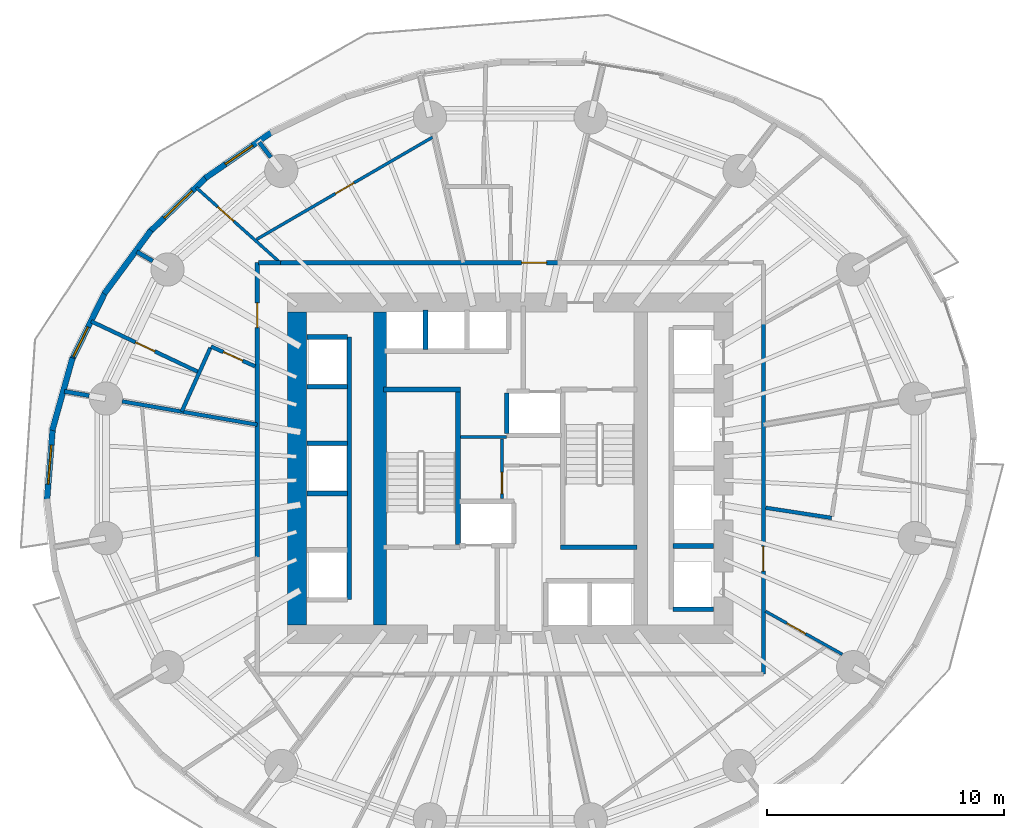
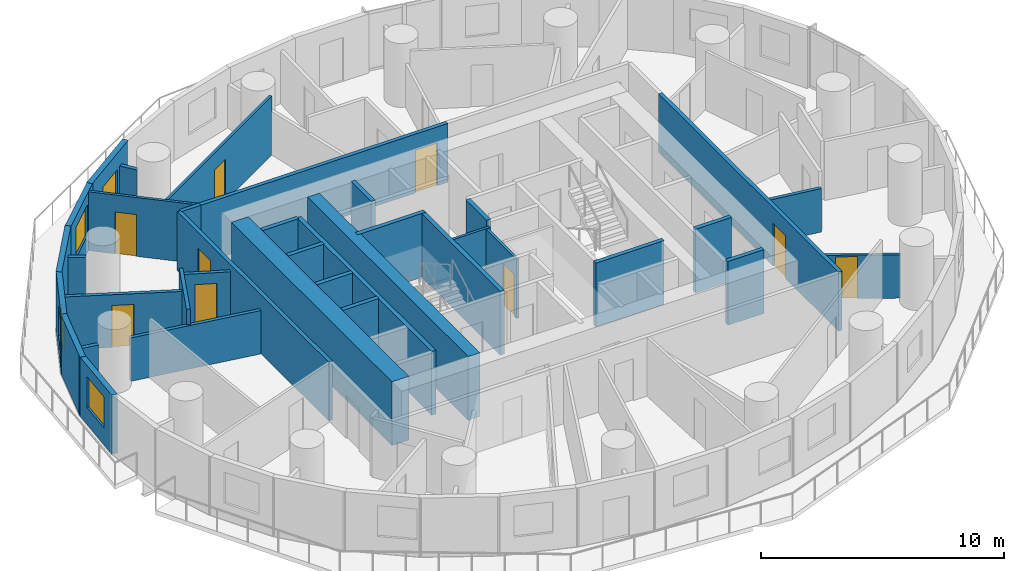
# One storey, part 6 of 13: 37 walls, 9 doors, 4 windows, 13 openings.
"""IFC4 building model written with IfcOpenShell, lengths in metres."""

from ifc_helpers import new_model, si_unit, direction, frame, frame_2d, origin, place, context, subcontext, project, spatial, rectangle, extrude, material, layer, layer_set, type_object, element, fill, save


model = new_model("IFC4")

# Units and contexts
model_context = context("Model", 3, precision=1e-05, world=origin(), true_north=direction((0.0, 1.0)))
body_context = subcontext(model_context, "Body", "Model", "MODEL_VIEW")
ifc_project = project(units=[si_unit("LENGTHUNIT", "METRE"), si_unit("AREAUNIT", "SQUARE_METRE"), si_unit("VOLUMEUNIT", "CUBIC_METRE"), si_unit("PLANEANGLEUNIT", "RADIAN"), si_unit("MASSUNIT", "GRAM", prefix="KILO")], contexts=[model_context])

# Site, building, storey
site_placement = place(None, origin())
site = spatial("IfcSite", under=ifc_project, at=site_placement, CompositionType="ELEMENT")
building_placement = place(site_placement, origin())
building = spatial("IfcBuilding", under=site, at=building_placement, Name="Veldorim Arch Residences", CompositionType="ELEMENT")
storey_placement = place(building_placement, frame((0.0, 0.0, 53.60009765625)))
storey = spatial("IfcBuildingStorey", under=building, at=storey_placement, Name="L15", CompositionType="ELEMENT", Elevation=53.60009765625)

# Wall, opening, door
ifc_material_1 = material(Name="Acoustic Gypsum Board", Category="gypsum")
ifc_layer_1 = layer(ifc_material_1, 0.125, Name="Acoustic Stud Room Partition Wall 125")
ifc_layer_set_1 = layer_set([ifc_layer_1], Name="Acoustic Gypsum Board")
wall_type_1 = type_object("IfcWallType", Name="Acoustic Stud Room Partition Wall 125", PredefinedType="PARTITIONING", material=ifc_layer_set_1)
wall_1_placement = place(storey_placement, frame((31.64990234375, 22.719970703125, 0.0), z_axis=(0.0, 0.0, 1.0), x_axis=(0.0, 1.0, 0.0)))
wall_1 = element("IfcWall", 1, at=wall_1_placement, inside=storey, type_object=wall_type_1, Name="L15 interior wall WL-CA-L15-1", PredefinedType="PARTITIONING", context=body_context, shape_type="SweptSolid", body=[
    extrude(rectangle(XDim=2.52001953125, YDim=0.125, at=frame_2d((1.260009765625, 0.0))), origin(), (0.0, 0.0, 1.0), 2.954833984375),
])
opening_1_placement = place(wall_1_placement, frame((0.2099609375, 0.0, 0.0)))
opening_1 = element("IfcOpeningElement", 2, at=opening_1_placement, cuts=wall_1, Name="Opening DR-SVC", PredefinedType="OPENING", context=body_context, shape_type="SweptSolid", body=[
    extrude(rectangle(XDim=0.89990234375, YDim=2.10009765625, at=frame_2d((0.449951171875, 1.050048828125))), frame((0.0, 0.072509765625, 0.0), z_axis=(0.0, -1.0, 0.0), x_axis=(1.0, 0.0, 0.0)), (0.0, 0.0, 1.0), 0.14501953125),
])
ifc_material_2 = material(Name="Fire-Rated Steel", Category="steel")
door_type_1 = type_object("IfcDoorType", Name="Riser, Shelter & Plant Room Rated Steel Door 900x2100", OperationType="SINGLE_SWING_LEFT", PredefinedType="DOOR", material=ifc_material_2)
door_1_placement = place(opening_1_placement, origin())
door_1 = element("IfcDoor", 3, at=door_1_placement, inside=storey, type_object=door_type_1, Name="L15 interior door DR-L15-CA1", OperationType="SINGLE_SWING_LEFT", OverallHeight=2.10009765625, OverallWidth=0.89990234375, PredefinedType="DOOR", context=body_context, shape_type="SweptSolid", body=[
    extrude(rectangle(XDim=0.89990234375, YDim=2.10009765625, at=frame_2d((0.449951171875, 1.050048828125))), frame((0.0, 0.02490234375, 0.0), z_axis=(0.0, -1.0, 0.0), x_axis=(1.0, 0.0, 0.0)), (0.0, 0.0, 1.0), 0.050048828125),
])
fill(opening_1, door_1)

# Wall
wall_2_placement = place(storey_placement, frame((29.889892578125, 25.330078125, 0.0), z_axis=(0.0, 0.0, 1.0), x_axis=(1.0, 0.0, 0.0)))
element("IfcWall", 4, at=wall_2_placement, inside=storey, type_object=wall_type_1, Name="L15 interior wall WL-CA-L15-N", PredefinedType="PARTITIONING", context=body_context, shape_type="SweptSolid", body=[
    extrude(rectangle(XDim=1.940185546875, YDim=0.125, at=frame_2d((0.97021484375, 0.0))), origin(), (0.0, 0.0, 1.0), 2.954833984375),
])

# Wall, opening, door
wall_3_placement = place(storey_placement, frame((46.011474609375, 16.152099609375, 0.0), z_axis=(0.0, 0.0, 1.0), x_axis=(-0.872501537555, 0.488611365978, 0.0)))
wall_3 = element("IfcWall", 5, at=wall_3_placement, inside=storey, type_object=wall_type_1, Name="L15 interior wall WL-RES-L15-018", PredefinedType="PARTITIONING", context=body_context, shape_type="SweptSolid", body=[
    extrude(rectangle(XDim=3.718505859375, YDim=0.125, at=frame_2d((1.859375, 0.0))), origin(), (0.0, 0.0, 1.0), 2.17822265625),
])
opening_2_placement = place(wall_3_placement, frame((1.773193359375, 0.0, 0.0)))
opening_2 = element("IfcOpeningElement", 6, at=opening_2_placement, cuts=wall_3, Name="Opening DR-INT", PredefinedType="OPENING", context=body_context, shape_type="SweptSolid", body=[
    extrude(rectangle(XDim=0.89990234375, YDim=2.10009765625, at=frame_2d((0.449951171875, 1.050048828125))), frame((0.0, 0.072509765625, 0.0), z_axis=(0.0, -1.0, 0.0), x_axis=(1.0, 0.0, 0.0)), (0.0, 0.0, 1.0), 0.14501953125),
])
ifc_material_3 = material(Name="Engineered Timber", Category="wood")
door_type_2 = type_object("IfcDoorType", Name="Apartment Internal Room Timber Door 900x2100", OperationType="SINGLE_SWING_LEFT", PredefinedType="DOOR", material=ifc_material_3)
door_2_placement = place(opening_2_placement, origin())
door_2 = element("IfcDoor", 7, at=door_2_placement, inside=storey, type_object=door_type_2, Name="L15 interior door DR-RES-L15-008", OperationType="SINGLE_SWING_RIGHT", OverallHeight=2.10009765625, OverallWidth=0.89990234375, PredefinedType="DOOR", context=body_context, shape_type="SweptSolid", body=[
    extrude(rectangle(XDim=0.89990234375, YDim=2.10009765625, at=frame_2d((0.449951171875, 1.050048828125))), frame((0.0, 0.02490234375, 0.0), z_axis=(0.0, -1.0, 0.0), x_axis=(1.0, 0.0, 0.0)), (0.0, 0.0, 1.0), 0.050048828125),
])
fill(opening_2, door_2)

wall_4_placement = place(storey_placement, frame((18.743408203125, 35.85009765625, 0.0), z_axis=(0.0, 0.0, 1.0), x_axis=(0.745545947878, -0.666454229188, 0.0)))
wall_4 = element("IfcWall", 8, at=wall_4_placement, inside=storey, type_object=wall_type_1, Name="L15 interior wall WL-RES-L15-034", PredefinedType="PARTITIONING", context=body_context, shape_type="SweptSolid", body=[
    extrude(rectangle(XDim=4.7568359375, YDim=0.125, at=frame_2d((2.37841796875, 0.0))), origin(), (0.0, 0.0, 1.0), 2.954833984375),
])
opening_3_placement = place(wall_4_placement, frame((1.22802734375, 0.0, 0.0)))
opening_3 = element("IfcOpeningElement", 9, at=opening_3_placement, cuts=wall_4, Name="Opening DR-INT", PredefinedType="OPENING", context=body_context, shape_type="SweptSolid", body=[
    extrude(rectangle(XDim=0.89990234375, YDim=2.10009765625, at=frame_2d((0.449951171875, 1.050048828125))), frame((0.0, 0.072509765625, 0.0), z_axis=(0.0, -1.0, 0.0), x_axis=(1.0, 0.0, 0.0)), (0.0, 0.0, 1.0), 0.14501953125),
])
door_3_placement = place(opening_3_placement, origin())
door_3 = element("IfcDoor", 10, at=door_3_placement, inside=storey, type_object=door_type_2, Name="L15 interior door DR-RES-L15-022", OperationType="SINGLE_SWING_RIGHT", OverallHeight=2.10009765625, OverallWidth=0.89990234375, PredefinedType="DOOR", context=body_context, shape_type="SweptSolid", body=[
    extrude(rectangle(XDim=0.89990234375, YDim=2.10009765625, at=frame_2d((0.449951171875, 1.050048828125))), frame((0.0, 0.02490234375, 0.0), z_axis=(0.0, -1.0, 0.0), x_axis=(1.0, 0.0, 0.0)), (0.0, 0.0, 1.0), 0.050048828125),
])
fill(opening_3, door_3)

wall_5_placement = place(storey_placement, frame((28.71826171875, 37.975341796875, 0.0), z_axis=(0.0, 0.0, 1.0), x_axis=(-0.864791736972, -0.502130711733, 0.0)))
wall_5 = element("IfcWall", 11, at=wall_5_placement, inside=storey, type_object=wall_type_1, Name="L15 interior wall WL-RES-L15-038", PredefinedType="PARTITIONING", context=body_context, shape_type="SweptSolid", body=[
    extrude(rectangle(XDim=8.5791015625, YDim=0.125, at=frame_2d((4.28955078125, 0.0))), origin(), (0.0, 0.0, 1.0), 2.954833984375),
])
opening_4_placement = place(wall_5_placement, frame((3.839599609375, 0.0, 0.0)))
opening_4 = element("IfcOpeningElement", 12, at=opening_4_placement, cuts=wall_5, Name="Opening DR-INT", PredefinedType="OPENING", context=body_context, shape_type="SweptSolid", body=[
    extrude(rectangle(XDim=0.89990234375, YDim=2.10009765625, at=frame_2d((0.449951171875, 1.050048828125))), frame((0.0, 0.072509765625, 0.0), z_axis=(0.0, -1.0, 0.0), x_axis=(1.0, 0.0, 0.0)), (0.0, 0.0, 1.0), 0.14501953125),
])
door_4_placement = place(opening_4_placement, origin())
door_4 = element("IfcDoor", 13, at=door_4_placement, inside=storey, type_object=door_type_2, Name="L15 interior door DR-RES-L15-023", OperationType="SINGLE_SWING_LEFT", OverallHeight=2.10009765625, OverallWidth=0.89990234375, PredefinedType="DOOR", context=body_context, shape_type="SweptSolid", body=[
    extrude(rectangle(XDim=0.89990234375, YDim=2.10009765625, at=frame_2d((0.449951171875, 1.050048828125))), frame((0.0, 0.02490234375, 0.0), z_axis=(0.0, -1.0, 0.0), x_axis=(1.0, 0.0, 0.0)), (0.0, 0.0, 1.0), 0.050048828125),
])
fill(opening_4, door_4)

# Walls
ifc_material_4 = material(Name="Lightweight Masonry Block & Gypsum", Category="masonry")
ifc_layer_2 = layer(ifc_material_4, 0.179931640625, Name="Compartment & Corridor Fire-Rated Party Wall 180")
ifc_layer_set_2 = layer_set([ifc_layer_2], Name="Lightweight Masonry Block & Gypsum")
wall_type_2 = type_object("IfcWallType", Name="Compartment & Corridor Fire-Rated Party Wall 180", PredefinedType="PARTITIONING", material=ifc_layer_set_2)
wall_6_placement = place(storey_placement, frame((21.893798828125, 37.125732421875, 0.0), z_axis=(0.0, 0.0, 1.0), x_axis=(-0.609961416057, 0.792431114307, 0.0)))
element("IfcWall", 14, at=wall_6_placement, inside=storey, type_object=wall_type_2, Name="L15 interior wall WL-PIER-L15-06", PredefinedType="PARTITIONING", context=body_context, shape_type="SweptSolid", body=[
    extrude(rectangle(XDim=0.800048828125, YDim=0.179931640625, at=frame_2d((0.39990234375, 0.0))), origin(), (0.0, 0.0, 1.0), 2.17822265625),
])
wall_7_placement = place(storey_placement, frame((16.909423828125, 32.750244140625, 0.0), z_axis=(0.0, 0.0, 1.0), x_axis=(-0.86504748832, 0.501689986895, 0.0)))
element("IfcWall", 15, at=wall_7_placement, inside=storey, type_object=wall_type_2, Name="L15 interior wall WL-PIER-L15-07", PredefinedType="PARTITIONING", context=body_context, shape_type="SweptSolid", body=[
    extrude(rectangle(XDim=0.780029296875, YDim=0.179931640625, at=frame_2d((0.39013671875, 0.0))), origin(), (0.0, 0.0, 1.0), 2.17822265625),
])
wall_8_placement = place(storey_placement, frame((14.224853515625, 27.068359375, 0.0), z_axis=(0.0, 0.0, 1.0), x_axis=(-0.985428074572, 0.17009265077, 0.0)))
element("IfcWall", 16, at=wall_8_placement, inside=storey, type_object=wall_type_2, Name="L15 interior wall WL-PIER-L15-08", PredefinedType="PARTITIONING", context=body_context, shape_type="SweptSolid", body=[
    extrude(rectangle(XDim=1.056396484375, YDim=0.179931640625, at=frame_2d((0.5283203125, 0.0))), origin(), (0.0, 0.0, 1.0), 2.17822265625),
])

# Wall, opening, door
wall_9_placement = place(storey_placement, frame((42.679931640625, 30.109130859375, 0.0), z_axis=(0.0, 0.0, 1.0), x_axis=(0.0, -1.0, 0.0)))
wall_9 = element("IfcWall", 17, at=wall_9_placement, inside=storey, type_object=wall_type_2, Name="L15 interior wall WL-RES-L15-003", PredefinedType="PARTITIONING", context=body_context, shape_type="SweptSolid", body=[
    extrude(rectangle(XDim=14.7890625, YDim=0.179931640625, at=frame_2d((7.39453125, 0.0))), origin(), (0.0, 0.0, 1.0), 2.954833984375),
])
opening_5_placement = place(wall_9_placement, frame((9.400390625, 0.0, 0.0)))
opening_5 = element("IfcOpeningElement", 18, at=opening_5_placement, cuts=wall_9, Name="Opening DR-FLT", PredefinedType="OPENING", context=body_context, shape_type="SweptSolid", body=[
    extrude(rectangle(XDim=1.050048828125, YDim=2.14990234375, at=frame_2d((0.52490234375, 1.074951171875))), frame((0.0, 0.099853515625, 0.0), z_axis=(0.0, -1.0, 0.0), x_axis=(1.0, 0.0, 0.0)), (0.0, 0.0, 1.0), 0.199951171875),
])
ifc_material_5 = material(Name="Fire-Rated Timber", Category="wood")
door_type_3 = type_object("IfcDoorType", Name="Apartment Entrance Solid-Core Fire Door 1050x2150", OperationType="SINGLE_SWING_LEFT", PredefinedType="DOOR", material=ifc_material_5)
door_5_placement = place(opening_5_placement, origin())
door_5 = element("IfcDoor", 19, at=door_5_placement, inside=storey, type_object=door_type_3, Name="L15 interior door DR-RES-L15-006", OperationType="SINGLE_SWING_RIGHT", OverallHeight=2.14990234375, OverallWidth=1.050048828125, PredefinedType="DOOR", context=body_context, shape_type="SweptSolid", body=[
    extrude(rectangle(XDim=1.050048828125, YDim=2.14990234375, at=frame_2d((0.52490234375, 1.074951171875))), frame((0.0, 0.02490234375, 0.0), z_axis=(0.0, -1.0, 0.0), x_axis=(1.0, 0.0, 0.0)), (0.0, 0.0, 1.0), 0.050048828125),
])
fill(opening_5, door_5)

wall_10_placement = place(storey_placement, frame((22.259765625, 32.679931640625, 0.0), z_axis=(0.0, 0.0, 1.0), x_axis=(1.0, 0.0, 0.0)))
wall_10 = element("IfcWall", 20, at=wall_10_placement, inside=storey, type_object=wall_type_2, Name="L15 interior wall WL-RES-L15-006", PredefinedType="PARTITIONING", context=body_context, shape_type="SweptSolid", body=[
    extrude(rectangle(XDim=11.76904296875, YDim=0.179931640625, at=frame_2d((5.884521484375, 0.0))), origin(), (0.0, 0.0, 1.0), 2.954833984375),
])
opening_6_placement = place(wall_10_placement, frame((10.222412109375, 0.0, 0.0)))
opening_6 = element("IfcOpeningElement", 21, at=opening_6_placement, cuts=wall_10, Name="Opening DR-FLT", PredefinedType="OPENING", context=body_context, shape_type="SweptSolid", body=[
    extrude(rectangle(XDim=1.050048828125, YDim=2.14990234375, at=frame_2d((0.52490234375, 1.074951171875))), frame((0.0, 0.099853515625, 0.0), z_axis=(0.0, -1.0, 0.0), x_axis=(1.0, 0.0, 0.0)), (0.0, 0.0, 1.0), 0.199951171875),
])
door_6_placement = place(opening_6_placement, origin())
door_6 = element("IfcDoor", 22, at=door_6_placement, inside=storey, type_object=door_type_3, Name="L15 interior door DR-RES-L15-015", OperationType="SINGLE_SWING_LEFT", OverallHeight=2.14990234375, OverallWidth=1.050048828125, PredefinedType="DOOR", context=body_context, shape_type="SweptSolid", body=[
    extrude(rectangle(XDim=1.050048828125, YDim=2.14990234375, at=frame_2d((0.52490234375, 1.074951171875))), frame((0.0, 0.02490234375, 0.0), z_axis=(0.0, -1.0, 0.0), x_axis=(1.0, 0.0, 0.0)), (0.0, 0.0, 1.0), 0.050048828125),
])
fill(opening_6, door_6)

wall_11_placement = place(storey_placement, frame((21.320068359375, 20.226318359375, 0.0), z_axis=(0.0, 0.0, 1.0), x_axis=(0.0, 1.0, 0.0)))
wall_11 = element("IfcWall", 23, at=wall_11_placement, inside=storey, type_object=wall_type_2, Name="L15 interior wall WL-RES-L15-007", PredefinedType="PARTITIONING", context=body_context, shape_type="SweptSolid", body=[
    extrude(rectangle(XDim=12.45361328125, YDim=0.179931640625, at=frame_2d((6.226806640625, 0.0))), origin(), (0.0, 0.0, 1.0), 2.954833984375),
])
opening_7_placement = place(wall_11_placement, frame((9.71142578125, 0.0, 0.0)))
opening_7 = element("IfcOpeningElement", 24, at=opening_7_placement, cuts=wall_11, Name="Opening DR-FLT", PredefinedType="OPENING", context=body_context, shape_type="SweptSolid", body=[
    extrude(rectangle(XDim=1.050048828125, YDim=2.14990234375, at=frame_2d((0.52490234375, 1.074951171875))), frame((0.0, 0.099853515625, 0.0), z_axis=(0.0, -1.0, 0.0), x_axis=(1.0, 0.0, 0.0)), (0.0, 0.0, 1.0), 0.199951171875),
])
door_7_placement = place(opening_7_placement, origin())
door_7 = element("IfcDoor", 25, at=door_7_placement, inside=storey, type_object=door_type_3, Name="L15 interior door DR-RES-L15-020", OperationType="SINGLE_SWING_RIGHT", OverallHeight=2.14990234375, OverallWidth=1.050048828125, PredefinedType="DOOR", context=body_context, shape_type="SweptSolid", body=[
    extrude(rectangle(XDim=1.050048828125, YDim=2.14990234375, at=frame_2d((0.52490234375, 1.074951171875))), frame((0.0, 0.02490234375, 0.0), z_axis=(0.0, -1.0, 0.0), x_axis=(1.0, 0.0, 0.0)), (0.0, 0.0, 1.0), 0.050048828125),
])
fill(opening_7, door_7)

# Walls
wall_12_placement = place(storey_placement, frame((21.3798828125, 32.679931640625, 0.0), z_axis=(0.0, 0.0, 1.0), x_axis=(1.0, 0.0, 0.0)))
element("IfcWall", 26, at=wall_12_placement, inside=storey, type_object=wall_type_2, Name="L15 interior wall WL-RES-L15-008", PredefinedType="PARTITIONING", context=body_context, shape_type="SweptSolid", body=[
    extrude(rectangle(XDim=0.929931640625, YDim=0.179931640625, at=frame_2d((0.46484375, 0.0))), origin(), (0.0, 0.0, 1.0), 2.954833984375),
])
ifc_material_6 = material(Name="Concrete C50/60", Category="concrete")
ifc_layer_3 = layer(ifc_material_6, 0.199951171875, Name="Core Stair & Lift Shaft Enclosure Wall 200")
ifc_layer_set_3 = layer_set([ifc_layer_3], Name="Concrete C50/60")
wall_type_3 = type_object("IfcWallType", Name="Core Stair & Lift Shaft Enclosure Wall 200", PredefinedType="SHEAR", material=ifc_layer_set_3)
wall_13_placement = place(storey_placement, frame((29.7900390625, 20.780029296875, 0.0), z_axis=(0.0, 0.0, 1.0), x_axis=(0.0, 1.0, 0.0)))
element("IfcWall", 27, at=wall_13_placement, inside=storey, type_object=wall_type_3, Name="L15 shaft wall WL-SHF-L15-ST1-E", PredefinedType="SHEAR", context=body_context, shape_type="SweptSolid", body=[
    extrude(rectangle(XDim=6.43994140625, YDim=0.199951171875, at=frame_2d((3.219970703125, 0.0))), origin(), (0.0, 0.0, 1.0), 3.199951171875),
])
for number, where, z_axis, x_axis, name in (
    (28, (26.64990234375, 27.330078125, 0.0), (0.0, 0.0, 1.0), (1.0, 0.0, 0.0), "L15 shaft wall WL-SHF-L15-ST1-N"),
    (29, (34.110107421875, 20.669921875, 0.0), (0.0, 0.0, 1.0), (1.0, 0.0, 0.0), "L15 shaft wall WL-SHF-L15-ST2-S"),
):
    element("IfcWall", number, at=place(storey_placement, frame(where, z_axis=z_axis, x_axis=x_axis)), inside=storey, type_object=wall_type_3, Name=name, PredefinedType="SHEAR", context=body_context, shape_type="SweptSolid", body=[
        extrude(rectangle(XDim=3.239990234375, YDim=0.199951171875, at=frame_2d((1.6201171875, 0.0))), origin(), (0.0, 0.0, 1.0), 3.199951171875),
    ])
for number, where, z_axis, x_axis, name in (
    (30, (31.85009765625, 25.469970703125, 0.0), (0.0, 0.0, 1.0), (0.0, 1.0, 0.0), "L15 shaft wall WL-FL02-L15-W"),
    (31, (38.8701171875, 18.06005859375, 0.0), (0.0, 0.0, 1.0), (1.0, 0.0, 0.0), "L15 shaft wall WL-B1-L15-S"),
    (32, (38.8701171875, 20.72509765625, 0.0), (0.0, 0.0, 1.0), (1.0, 0.0, 0.0), "L15 shaft wall WL-B1-L15-D1"),
):
    element("IfcWall", number, at=place(storey_placement, frame(where, z_axis=z_axis, x_axis=x_axis)), inside=storey, type_object=wall_type_3, Name=name, PredefinedType="SHEAR", context=body_context, shape_type="SweptSolid", body=[
        extrude(rectangle(XDim=1.7099609375, YDim=0.199951171875, at=frame_2d((0.85498046875, 0.0))), origin(), (0.0, 0.0, 1.0), 3.199951171875),
    ])
wall_14_placement = place(storey_placement, frame((25.199951171875, 18.4599609375, 0.0), z_axis=(0.0, 0.0, 1.0), x_axis=(0.0, 1.0, 0.0)))
element("IfcWall", 33, at=wall_14_placement, inside=storey, type_object=wall_type_3, Name="L15 shaft wall WL-B2-L15-E", PredefinedType="SHEAR", context=body_context, shape_type="SweptSolid", body=[
    extrude(rectangle(XDim=11.080078125, YDim=0.199951171875, at=frame_2d((5.5400390625, 0.0))), origin(), (0.0, 0.0, 1.0), 3.199951171875),
])
for number, where, z_axis, x_axis, name in (
    (34, (23.419921875, 29.5400390625, 0.0), (0.0, 0.0, 1.0), (1.0, 0.0, 0.0), "L15 shaft wall WL-B2-L15-N"),
    (35, (23.419921875, 22.93994140625, 0.0), (0.0, 0.0, 1.0), (1.0, 0.0, 0.0), "L15 shaft wall WL-B2-L15-D1B"),
    (36, (23.419921875, 25.06005859375, 0.0), (0.0, 0.0, 1.0), (1.0, 0.0, 0.0), "L15 shaft wall WL-B2-L15-D2A"),
    (37, (23.419921875, 27.43994140625, 0.0), (0.0, 0.0, 1.0), (1.0, 0.0, 0.0), "L15 shaft wall WL-B2-L15-D2B"),
):
    element("IfcWall", number, at=place(storey_placement, frame(where, z_axis=z_axis, x_axis=x_axis)), inside=storey, type_object=wall_type_3, Name=name, PredefinedType="SHEAR", context=body_context, shape_type="SweptSolid", body=[
        extrude(rectangle(XDim=1.7099609375, YDim=0.199951171875, at=frame_2d((0.85498046875, 0.0))), origin(), (0.0, 0.0, 1.0), 3.199951171875),
    ])
wall_15_placement = place(storey_placement, frame((28.425048828125, 29.02001953125, 0.0), z_axis=(0.0, 0.0, 1.0), x_axis=(0.0, 1.0, 0.0)))
element("IfcWall", 38, at=wall_15_placement, inside=storey, type_object=wall_type_3, Name="L15 shaft wall WL-B3-L15-D1", PredefinedType="SHEAR", context=body_context, shape_type="SweptSolid", body=[
    extrude(rectangle(XDim=1.659912109375, YDim=0.199951171875, at=frame_2d((0.830078125, 0.0))), origin(), (0.0, 0.0, 1.0), 3.199951171875),
])
ifc_material_7 = material(Name="Concrete C60/75", Category="concrete")
ifc_layer_4 = layer(ifc_material_7, 0.56005859375, Name="Internal Core Shear Web Wall 560")
ifc_layer_set_4 = layer_set([ifc_layer_4], Name="Concrete C60/75")
wall_type_4 = type_object("IfcWallType", Name="Internal Core Shear Web Wall 560", PredefinedType="SHEAR", material=ifc_layer_set_4)
wall_16_placement = place(storey_placement, frame((26.5, 17.39990234375, 0.0), z_axis=(0.0, 0.0, 1.0), x_axis=(0.0, 1.0, 0.0)))
element("IfcWall", 39, at=wall_16_placement, inside=storey, type_object=wall_type_4, Name="L15 core west internal shear web", PredefinedType="SHEAR", context=body_context, shape_type="SweptSolid", body=[
    extrude(rectangle(XDim=13.2001953125, YDim=0.56005859375, at=frame_2d((6.60009765625, 0.0))), origin(), (0.0, 0.0, 1.0), 3.199951171875),
])
ifc_material_8 = material(Name="Concrete C60/75", Category="concrete")
ifc_layer_5 = layer(ifc_material_8, 0.800048828125, Name="Lower Central Core Shear Wall 800")
ifc_layer_set_5 = layer_set([ifc_layer_5], Name="Concrete C60/75")
wall_type_5 = type_object("IfcWallType", Name="Lower Central Core Shear Wall 800", PredefinedType="SHEAR", material=ifc_layer_set_5)
wall_17_placement = place(storey_placement, frame((23.0, 17.39990234375, 0.0), z_axis=(0.0, 0.0, 1.0), x_axis=(0.0, 1.0, 0.0)))
element("IfcWall", 40, at=wall_17_placement, inside=storey, type_object=wall_type_5, Name="L15 central core west shear wall", PredefinedType="SHEAR", context=body_context, shape_type="SweptSolid", body=[
    extrude(rectangle(XDim=13.2001953125, YDim=0.800048828125, at=frame_2d((6.60009765625, 0.0))), origin(), (0.0, 0.0, 1.0), 3.199951171875),
])

# Wall, opening, window
ifc_material_9 = material(Name="Precast concrete C40/50", Category="concrete")
ifc_layer_6 = layer(ifc_material_9, 0.25, Name="Tower Terracotta Spandrel & Pier Wall 250")
ifc_layer_set_6 = layer_set([ifc_layer_6], Name="Precast concrete C40/50")
wall_type_6 = type_object("IfcWallType", Name="Tower Terracotta Spandrel & Pier Wall 250", PredefinedType="SOLIDWALL", material=ifc_layer_set_6)
wall_18_placement = place(storey_placement, frame((19.123046875, 36.248779296875, 0.0), z_axis=(0.0, 0.0, 1.0), x_axis=(0.822610496702, 0.568605285515, 0.0)))
wall_18 = element("IfcWall", 41, at=wall_18_placement, inside=storey, type_object=wall_type_6, Name="L15 terracotta facade wall 12", PredefinedType="SOLIDWALL", context=body_context, shape_type="SweptSolid", body=[
    extrude(rectangle(XDim=3.465087890625, YDim=0.25, at=frame_2d((1.732421875, 0.0))), origin(), (0.0, 0.0, 1.0), 2.9599609375),
])
opening_8_placement = place(wall_18_placement, frame((1.031982421875, 0.0, 0.85009765625)))
opening_8 = element("IfcOpeningElement", 42, at=opening_8_placement, cuts=wall_18, Name="Opening WN-02", PredefinedType="OPENING", context=body_context, shape_type="SweptSolid", body=[
    extrude(rectangle(XDim=1.39990234375, YDim=1.2900390625, at=frame_2d((0.699951171875, 0.64501953125))), frame((0.0, 0.135009765625, 0.0), z_axis=(0.0, -1.0, 0.0), x_axis=(1.0, 0.0, 0.0)), (0.0, 0.0, 1.0), 0.27001953125),
])
ifc_material_10 = material(Name="Laminated Low-E Glass", Category="glass")
window_type_1 = type_object("IfcWindowType", Name="Residential Casement Window 1400x1550", PartitioningType="SINGLE_PANEL", PredefinedType="WINDOW", material=ifc_material_10)
window_1_placement = place(opening_8_placement, origin())
window_1 = element("IfcWindow", 43, at=window_1_placement, inside=storey, type_object=window_type_1, Name="L15 solar-control facade window 12", OverallHeight=1.2900390625, OverallWidth=1.39990234375, PartitioningType="SINGLE_PANEL", PredefinedType="WINDOW", context=body_context, shape_type="SweptSolid", body=[
    extrude(rectangle(XDim=1.39990234375, YDim=1.2900390625, at=frame_2d((0.699951171875, 0.64501953125))), frame((0.0, 0.030029296875, 0.0), z_axis=(0.0, -1.0, 0.0), x_axis=(1.0, 0.0, 0.0)), (0.0, 0.0, 1.0), 0.06005859375),
])
fill(opening_8, window_1)

wall_19_placement = place(storey_placement, frame((16.759521484375, 33.9609375, 0.0), z_axis=(0.0, 0.0, 1.0), x_axis=(0.720340150583, 0.693620982568, 0.0)))
wall_19 = element("IfcWall", 44, at=wall_19_placement, inside=storey, type_object=wall_type_6, Name="L15 terracotta facade wall 13", PredefinedType="SOLIDWALL", context=body_context, shape_type="SweptSolid", body=[
    extrude(rectangle(XDim=3.399169921875, YDim=0.25, at=frame_2d((1.69970703125, 0.0))), origin(), (0.0, 0.0, 1.0), 2.9599609375),
])
opening_9_placement = place(wall_19_placement, frame((0.875, 0.0, 0.85009765625)))
opening_9 = element("IfcOpeningElement", 45, at=opening_9_placement, cuts=wall_19, Name="Opening WN-03", PredefinedType="OPENING", context=body_context, shape_type="SweptSolid", body=[
    extrude(rectangle(XDim=1.64990234375, YDim=1.550048828125, at=frame_2d((0.824951171875, 0.77490234375))), frame((0.0, 0.135009765625, 0.0), z_axis=(0.0, -1.0, 0.0), x_axis=(1.0, 0.0, 0.0)), (0.0, 0.0, 1.0), 0.27001953125),
])
ifc_material_11 = material(Name="Laminated Low-E Glass", Category="glass")
window_type_2 = type_object("IfcWindowType", Name="Residential Wide Window 1650x1550", PartitioningType="SINGLE_PANEL", PredefinedType="WINDOW", material=ifc_material_11)
window_2_placement = place(opening_9_placement, origin())
window_2 = element("IfcWindow", 46, at=window_2_placement, inside=storey, type_object=window_type_2, Name="L15 solar-control facade window 13", OverallHeight=1.550048828125, OverallWidth=1.64990234375, PartitioningType="SINGLE_PANEL", PredefinedType="WINDOW", context=body_context, shape_type="SweptSolid", body=[
    extrude(rectangle(XDim=1.64990234375, YDim=1.550048828125, at=frame_2d((0.824951171875, 0.77490234375))), frame((0.0, 0.030029296875, 0.0), z_axis=(0.0, -1.0, 0.0), x_axis=(1.0, 0.0, 0.0)), (0.0, 0.0, 1.0), 0.06005859375),
])
fill(opening_9, window_2)

# Wall
wall_20_placement = place(storey_placement, frame((14.859619140625, 31.37060546875, 0.0), z_axis=(0.0, 0.0, 1.0), x_axis=(0.593762827217, 0.804640109003, 0.0)))
element("IfcWall", 47, at=wall_20_placement, inside=storey, type_object=wall_type_6, Name="L15 terracotta facade wall 14", PredefinedType="SOLIDWALL", context=body_context, shape_type="SweptSolid", body=[
    extrude(rectangle(XDim=3.32275390625, YDim=0.25, at=frame_2d((1.661376953125, 0.0))), origin(), (0.0, 0.0, 1.0), 2.9599609375),
])

# Wall, opening, window
wall_21_placement = place(storey_placement, frame((13.481689453125, 28.556640625, 0.0), z_axis=(0.0, 0.0, 1.0), x_axis=(0.44260255462, 0.896717892452, 0.0)))
wall_21 = element("IfcWall", 48, at=wall_21_placement, inside=storey, type_object=wall_type_6, Name="L15 terracotta facade wall 15", PredefinedType="SOLIDWALL", context=body_context, shape_type="SweptSolid", body=[
    extrude(rectangle(XDim=3.24462890625, YDim=0.25, at=frame_2d((1.622314453125, 0.0))), origin(), (0.0, 0.0, 1.0), 2.9599609375),
])
opening_10_placement = place(wall_21_placement, frame((0.175048828125, 0.0, 0.85009765625)))
opening_10 = element("IfcOpeningElement", 49, at=opening_10_placement, cuts=wall_21, Name="Opening WN-02", PredefinedType="OPENING", context=body_context, shape_type="SweptSolid", body=[
    extrude(rectangle(XDim=1.39990234375, YDim=1.550048828125, at=frame_2d((0.699951171875, 0.77490234375))), frame((0.0, 0.135009765625, 0.0), z_axis=(0.0, -1.0, 0.0), x_axis=(1.0, 0.0, 0.0)), (0.0, 0.0, 1.0), 0.27001953125),
])
window_3_placement = place(opening_10_placement, origin())
window_3 = element("IfcWindow", 50, at=window_3_placement, inside=storey, type_object=window_type_1, Name="L15 solar-control facade window 15", OverallHeight=1.550048828125, OverallWidth=1.39990234375, PartitioningType="SINGLE_PANEL", PredefinedType="WINDOW", context=body_context, shape_type="SweptSolid", body=[
    extrude(rectangle(XDim=1.39990234375, YDim=1.550048828125, at=frame_2d((0.699951171875, 0.77490234375))), frame((0.0, 0.030029296875, 0.0), z_axis=(0.0, -1.0, 0.0), x_axis=(1.0, 0.0, 0.0)), (0.0, 0.0, 1.0), 0.06005859375),
])
fill(opening_10, window_3)

# Wall
wall_22_placement = place(storey_placement, frame((12.667236328125, 25.605224609375, 0.0), z_axis=(0.0, 0.0, 1.0), x_axis=(0.269353183383, 0.963041464632, 0.0)))
element("IfcWall", 51, at=wall_22_placement, inside=storey, type_object=wall_type_6, Name="L15 terracotta facade wall 16", PredefinedType="SOLIDWALL", context=body_context, shape_type="SweptSolid", body=[
    extrude(rectangle(XDim=3.17431640625, YDim=0.25, at=frame_2d((1.587158203125, 0.0))), origin(), (0.0, 0.0, 1.0), 2.9599609375),
])

# Wall, opening, window
wall_23_placement = place(storey_placement, frame((12.43994140625, 22.6064453125, 0.0), z_axis=(0.0, 0.0, 1.0), x_axis=(0.079173066737, 0.996860885733, 0.0)))
wall_23 = element("IfcWall", 52, at=wall_23_placement, inside=storey, type_object=wall_type_6, Name="L15 terracotta facade wall 17", PredefinedType="SOLIDWALL", context=body_context, shape_type="SweptSolid", body=[
    extrude(rectangle(XDim=3.12060546875, YDim=0.25, at=frame_2d((1.560302734375, 0.0))), origin(), (0.0, 0.0, 1.0), 2.9599609375),
])
opening_11_placement = place(wall_23_placement, frame((0.735107421875, 0.0, 0.85009765625)))
opening_11 = element("IfcOpeningElement", 53, at=opening_11_placement, cuts=wall_23, Name="Opening WN-03", PredefinedType="OPENING", context=body_context, shape_type="SweptSolid", body=[
    extrude(rectangle(XDim=1.64990234375, YDim=1.550048828125, at=frame_2d((0.824951171875, 0.77490234375))), frame((0.0, 0.135009765625, 0.0), z_axis=(0.0, -1.0, 0.0), x_axis=(1.0, 0.0, 0.0)), (0.0, 0.0, 1.0), 0.27001953125),
])
window_4_placement = place(opening_11_placement, origin())
window_4 = element("IfcWindow", 54, at=window_4_placement, inside=storey, type_object=window_type_2, Name="L15 solar-control facade window 17", OverallHeight=1.550048828125, OverallWidth=1.64990234375, PartitioningType="SINGLE_PANEL", PredefinedType="WINDOW", context=body_context, shape_type="SweptSolid", body=[
    extrude(rectangle(XDim=1.64990234375, YDim=1.550048828125, at=frame_2d((0.824951171875, 0.77490234375))), frame((0.0, 0.030029296875, 0.0), z_axis=(0.0, -1.0, 0.0), x_axis=(1.0, 0.0, 0.0)), (0.0, 0.0, 1.0), 0.06005859375),
])
fill(opening_11, window_4)

# Wall
ifc_material_12 = material(Name="Moisture-Resistant Gypsum & Stud", Category="gypsum")
ifc_layer_7 = layer(ifc_material_12, 0.159912109375, Name="Wet-Area Moisture-Resistant Plumbing Wall 160")
ifc_layer_set_7 = layer_set([ifc_layer_7], Name="Moisture-Resistant Gypsum & Stud")
wall_type_7 = type_object("IfcWallType", Name="Wet-Area Moisture-Resistant Plumbing Wall 160", PredefinedType="PLUMBINGWALL", material=ifc_layer_set_7)
wall_24_placement = place(storey_placement, frame((42.77880859375, 22.3369140625, 0.0), z_axis=(0.0, 0.0, 1.0), x_axis=(0.9883767157, -0.152024563351, 0.0)))
element("IfcWall", 55, at=wall_24_placement, inside=storey, type_object=wall_type_7, Name="L15 interior wall WL-RES-L15-019", PredefinedType="PLUMBINGWALL", context=body_context, shape_type="SweptSolid", body=[
    extrude(rectangle(XDim=2.81201171875, YDim=0.159912109375, at=frame_2d((1.406005859375, 0.0))), origin(), (0.0, 0.0, 1.0), 2.17822265625),
])

# Wall, opening, door
wall_25_placement = place(storey_placement, frame((18.8740234375, 28.048095703125, 0.0), z_axis=(0.0, 0.0, 1.0), x_axis=(-0.903875714014, 0.427795153801, 0.0)))
wall_25 = element("IfcWall", 56, at=wall_25_placement, inside=storey, type_object=wall_type_7, Name="L15 interior wall WL-RES-L15-033", PredefinedType="PLUMBINGWALL", context=body_context, shape_type="SweptSolid", body=[
    extrude(rectangle(XDim=5.046142578125, YDim=0.159912109375, at=frame_2d((2.52294921875, 0.0))), origin(), (0.0, 0.0, 1.0), 2.641357421875),
])
opening_12_placement = place(wall_25_placement, frame((2.072998046875, 0.0, 0.0)))
opening_12 = element("IfcOpeningElement", 57, at=opening_12_placement, cuts=wall_25, Name="Opening DR-WC", PredefinedType="OPENING", context=body_context, shape_type="SweptSolid", body=[
    extrude(rectangle(XDim=0.89990234375, YDim=2.10009765625, at=frame_2d((0.449951171875, 1.050048828125))), frame((0.0, 0.08984375, 0.0), z_axis=(0.0, -1.0, 0.0), x_axis=(1.0, 0.0, 0.0)), (0.0, 0.0, 1.0), 0.179931640625),
])
ifc_material_13 = material(Name="Laminate Timber", Category="wood")
door_type_4 = type_object("IfcDoorType", Name="Bathroom & Accessible WC Moisture-Sealed Door 900x2100", OperationType="SINGLE_SWING_LEFT", PredefinedType="DOOR", material=ifc_material_13)
door_8_placement = place(opening_12_placement, origin())
door_8 = element("IfcDoor", 58, at=door_8_placement, inside=storey, type_object=door_type_4, Name="L15 interior door DR-RES-L15-021", OperationType="SINGLE_SWING_LEFT", OverallHeight=2.10009765625, OverallWidth=0.89990234375, PredefinedType="DOOR", context=body_context, shape_type="SweptSolid", body=[
    extrude(rectangle(XDim=0.89990234375, YDim=2.10009765625, at=frame_2d((0.449951171875, 1.050048828125))), frame((0.0, 0.02490234375, 0.0), z_axis=(0.0, -1.0, 0.0), x_axis=(1.0, 0.0, 0.0)), (0.0, 0.0, 1.0), 0.050048828125),
])
fill(opening_12, door_8)

wall_26_placement = place(storey_placement, frame((21.228759765625, 28.30615234375, 0.0), z_axis=(0.0, 0.0, 1.0), x_axis=(-0.912062415561, 0.410051399365, 0.0)))
wall_26 = element("IfcWall", 59, at=wall_26_placement, inside=storey, type_object=wall_type_7, Name="L15 interior wall WL-RES-L15-035", PredefinedType="PLUMBINGWALL", context=body_context, shape_type="SweptSolid", body=[
    extrude(rectangle(XDim=2.04150390625, YDim=0.159912109375, at=frame_2d((1.020751953125, 0.0))), origin(), (0.0, 0.0, 1.0), 2.641357421875),
])
opening_13_placement = place(wall_26_placement, frame((0.57080078125, 0.0, 0.0)))
opening_13 = element("IfcOpeningElement", 60, at=opening_13_placement, cuts=wall_26, Name="Opening DR-INT", PredefinedType="OPENING", context=body_context, shape_type="SweptSolid", body=[
    extrude(rectangle(XDim=0.89990234375, YDim=2.10009765625, at=frame_2d((0.449951171875, 1.050048828125))), frame((0.0, 0.08984375, 0.0), z_axis=(0.0, -1.0, 0.0), x_axis=(1.0, 0.0, 0.0)), (0.0, 0.0, 1.0), 0.179931640625),
])
door_9_placement = place(opening_13_placement, origin())
door_9 = element("IfcDoor", 61, at=door_9_placement, inside=storey, type_object=door_type_2, Name="L15 interior door DR-RES-L15-024", OperationType="SINGLE_SWING_RIGHT", OverallHeight=2.10009765625, OverallWidth=0.89990234375, PredefinedType="DOOR", context=body_context, shape_type="SweptSolid", body=[
    extrude(rectangle(XDim=0.89990234375, YDim=2.10009765625, at=frame_2d((0.449951171875, 1.050048828125))), frame((0.0, 0.02490234375, 0.0), z_axis=(0.0, -1.0, 0.0), x_axis=(1.0, 0.0, 0.0)), (0.0, 0.0, 1.0), 0.050048828125),
])
fill(opening_13, door_9)

# Walls
wall_27_placement = place(storey_placement, frame((19.342041015625, 29.088623046875, 0.0), z_axis=(0.0, 0.0, 1.0), x_axis=(-0.410144748917, -0.912020441073, 0.0)))
element("IfcWall", 62, at=wall_27_placement, inside=storey, type_object=wall_type_7, Name="L15 interior wall WL-RES-L15-036", PredefinedType="PLUMBINGWALL", context=body_context, shape_type="SweptSolid", body=[
    extrude(rectangle(XDim=2.954345703125, YDim=0.159912109375, at=frame_2d((1.47705078125, 0.0))), origin(), (0.0, 0.0, 1.0), 2.954833984375),
])
wall_28_placement = place(storey_placement, frame((21.320068359375, 25.84375, 0.0), z_axis=(0.0, 0.0, 1.0), x_axis=(-0.985429175336, 0.170086273394, 0.0)))
element("IfcWall", 63, at=wall_28_placement, inside=storey, type_object=wall_type_7, Name="L15 interior wall WL-RES-L15-037", PredefinedType="PLUMBINGWALL", context=body_context, shape_type="SweptSolid", body=[
    extrude(rectangle(XDim=5.788818359375, YDim=0.159912109375, at=frame_2d((2.89453125, 0.0))), origin(), (0.0, 0.0, 1.0), 2.17822265625),
])

save(model, "model.ifc")
